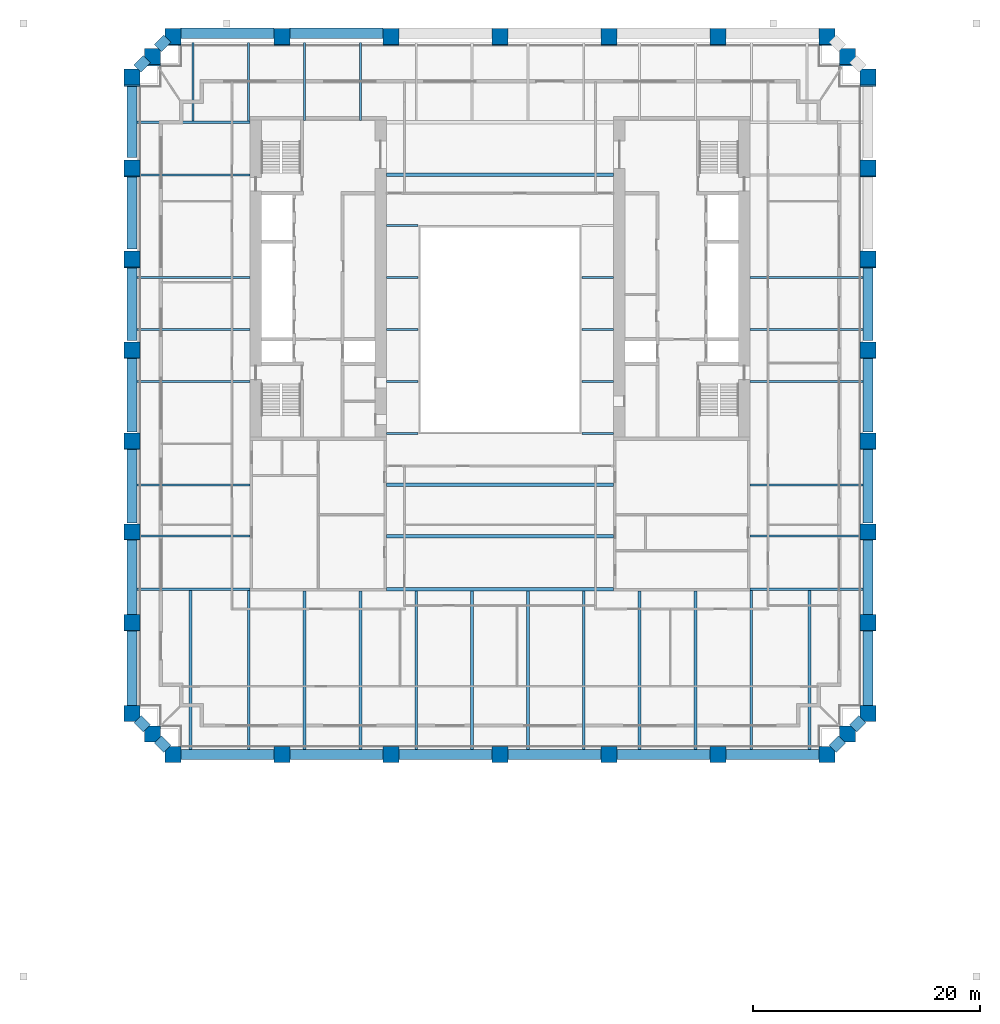
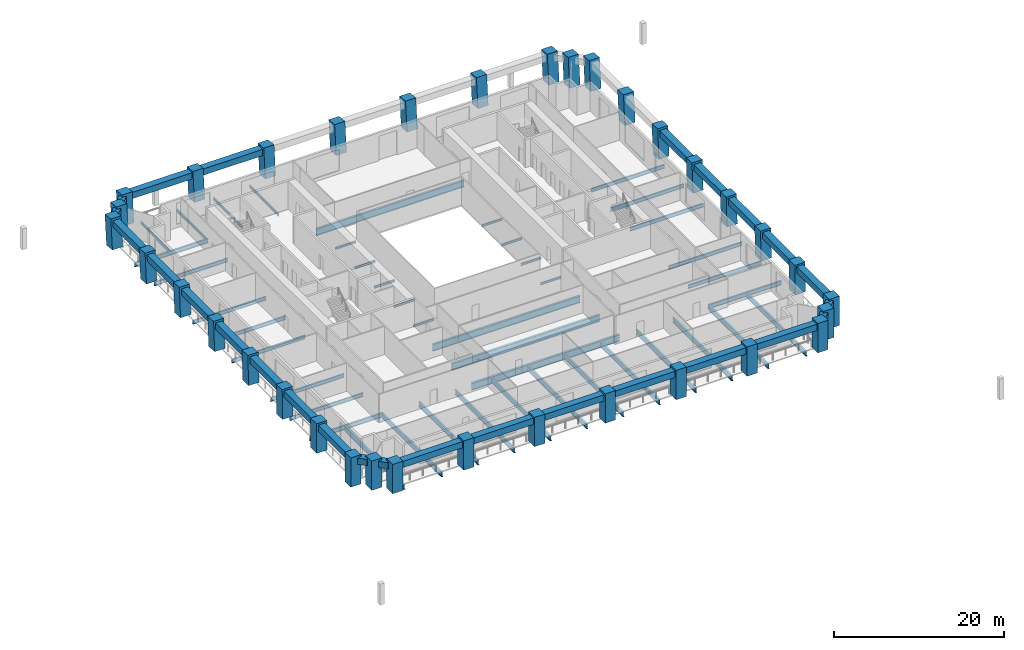
# One storey, part 1 of 10: 69 beams, 34 columns.
"""IFC4 building model written with IfcOpenShell, lengths in metres."""

from ifc_helpers import new_model, si_unit, direction, frame, origin, origin_2d, place, context, subcontext, project, spatial, rectangle, i_section, extrude, material, material_profile, profile_set, type_object, element, save


model = new_model("IFC4")

# Units and contexts
model_context = context("Model", 3, precision=1e-05, world=origin(), true_north=direction((0.0, 1.0)))
body_context = subcontext(model_context, "Body", "Model", "MODEL_VIEW")
ifc_project = project(units=[si_unit("LENGTHUNIT", "METRE"), si_unit("AREAUNIT", "SQUARE_METRE"), si_unit("VOLUMEUNIT", "CUBIC_METRE"), si_unit("PLANEANGLEUNIT", "RADIAN"), si_unit("MASSUNIT", "GRAM", prefix="KILO")], contexts=[model_context])

# Site, building, storey
site_placement = place(None, origin())
site = spatial("IfcSite", under=ifc_project, at=site_placement, CompositionType="ELEMENT")
building_placement = place(site_placement, origin())
building = spatial("IfcBuilding", under=site, at=building_placement, Name="Ogive Exchange Tower", CompositionType="ELEMENT")
storey_placement = place(building_placement, frame((0.0, 0.0, 48.0)))
storey = spatial("IfcBuildingStorey", under=building, at=storey_placement, Name="L09", CompositionType="ELEMENT", Elevation=48.0)

# Columns
ifc_material_1 = material(Name="Precast concrete C70/85 (limestone faced)", Category="masonry")
ifc_material_profile_1 = material_profile(ifc_material_1, rectangle(XDim=1.39990234375, YDim=1.39990234375, at=origin_2d()), Name="1400 x 1400")
ifc_profile_set_1 = profile_set([ifc_material_profile_1], Name="Precast concrete C70/85 (limestone faced)")
column_type = type_object("IfcColumnType", Name="Precast exoskeleton leg 1400 x 1400 C70/85", PredefinedType="COLUMN", material=ifc_profile_set_1)
for number, where, z_axis, x_axis, name in (
    (1, (-28.800048828125, -30.39990234375, 0.0), (0.0, 0.0, 1.0), (1.0, 0.0, 0.0), "Exoskeleton leg 1"),
    (2, (-19.199951171875, -30.39990234375, 0.0), (0.0, 0.0, 1.0), (1.0, 0.0, 0.0), "Exoskeleton leg 2"),
    (3, (-9.60009765625, -30.39990234375, 0.0), (0.0, 0.0, 1.0), (1.0, 0.0, 0.0), "Exoskeleton leg 3"),
    (4, (0.0, -30.39990234375, 0.0), (0.0, 0.0, 1.0), (1.0, 0.0, 0.0), "Exoskeleton leg 4"),
    (5, (9.60009765625, -30.39990234375, 0.0), (0.0, 0.0, 1.0), (1.0, 0.0, 0.0), "Exoskeleton leg 5"),
    (6, (19.199951171875, -30.39990234375, 0.0), (0.0, 0.0, 1.0), (1.0, 0.0, 0.0), "Exoskeleton leg 6"),
    (7, (28.800048828125, -30.39990234375, 0.0), (0.0, 0.0, 1.0), (1.0, 0.0, 0.0), "Exoskeleton leg 7"),
    (8, (32.39990234375, -26.800048828125, 0.0), (0.0, 0.0, 1.0), (1.0, 0.0, 0.0), "Exoskeleton leg 8"),
):
    element("IfcColumn", number, at=place(storey_placement, frame(where, z_axis=z_axis, x_axis=x_axis)), inside=storey, type_object=column_type, Name=name, PredefinedType="COLUMN", context=body_context, shape_type="SweptSolid", body=[
        extrude(rectangle(XDim=1.39990234375, YDim=1.39990234375, at=origin_2d()), origin(), (0.0, 0.0, 1.0), 4.199951171875),
    ])
column_1_placement = place(storey_placement, frame((32.39990234375, -18.81298828125, 0.0), z_axis=(0.0, 0.013019881024, 0.999915237757), x_axis=(-1.0, 0.0, 0.0)))
element("IfcColumn", 9, at=column_1_placement, inside=storey, type_object=column_type, Name="Exoskeleton leg 9", PredefinedType="COLUMN", context=body_context, shape_type="SweptSolid", body=[
    extrude(rectangle(XDim=1.39990234375, YDim=1.39990234375, at=origin_2d()), origin(), (0.0, 0.0, 1.0), 4.2001953125),
])
column_2_placement = place(storey_placement, frame((32.39990234375, -10.825927734375, 0.0), z_axis=(0.0, 0.025975072843, 0.999662590873), x_axis=(-1.0, 0.0, 0.0)))
element("IfcColumn", 10, at=column_2_placement, inside=storey, type_object=column_type, Name="Exoskeleton leg 10", PredefinedType="COLUMN", context=body_context, shape_type="SweptSolid", body=[
    extrude(rectangle(XDim=1.39990234375, YDim=1.39990234375, at=origin_2d()), origin(), (0.0, 0.0, 1.0), 4.201416015625),
])
column_3_placement = place(storey_placement, frame((32.39990234375, -2.839111328125, 0.0), z_axis=(0.0, 0.038975188043, 0.999240178694), x_axis=(-1.0, 0.0, 0.0)))
element("IfcColumn", 11, at=column_3_placement, inside=storey, type_object=column_type, Name="Exoskeleton leg 11", PredefinedType="COLUMN", context=body_context, shape_type="SweptSolid", body=[
    extrude(rectangle(XDim=1.39990234375, YDim=1.39990234375, at=origin_2d()), origin(), (0.0, 0.0, 1.0), 4.203125),
])
column_4_placement = place(storey_placement, frame((32.39990234375, 5.148193359375, 0.0), z_axis=(0.0, 0.051839753909, 0.998655416004), x_axis=(-1.0, 0.0, 0.0)))
element("IfcColumn", 12, at=column_4_placement, inside=storey, type_object=column_type, Name="Exoskeleton leg 12", PredefinedType="COLUMN", context=body_context, shape_type="SweptSolid", body=[
    extrude(rectangle(XDim=1.39990234375, YDim=1.39990234375, at=origin_2d()), origin(), (0.0, 0.0, 1.0), 4.20556640625),
])
column_5_placement = place(storey_placement, frame((32.39990234375, 13.135009765625, 0.0), z_axis=(0.0, 0.064794093908, 0.997898654872), x_axis=(-1.0, 0.0, 0.0)))
element("IfcColumn", 13, at=column_5_placement, inside=storey, type_object=column_type, Name="Exoskeleton leg 13", PredefinedType="COLUMN", context=body_context, shape_type="SweptSolid", body=[
    extrude(rectangle(XDim=1.39990234375, YDim=1.39990234375, at=origin_2d()), origin(), (0.0, 0.0, 1.0), 4.208740234375),
])
column_6_placement = place(storey_placement, frame((32.39990234375, 21.1220703125, 0.0), z_axis=(0.0, 0.07771576013, 0.996975556685), x_axis=(-1.0, 0.0, 0.0)))
element("IfcColumn", 14, at=column_6_placement, inside=storey, type_object=column_type, Name="Exoskeleton leg 14", PredefinedType="COLUMN", context=body_context, shape_type="SweptSolid", body=[
    extrude(rectangle(XDim=1.39990234375, YDim=1.39990234375, at=origin_2d()), origin(), (0.0, 0.0, 1.0), 4.212646484375),
])
for number, where, z_axis, x_axis, name in (
    (15, (32.39990234375, 29.109130859375, 0.0), (0.0, 0.090540965689, 0.995892731941), (-1.0, 0.0, 0.0), "Exoskeleton leg 15"),
    (16, (28.800048828125, 32.708984375, 0.0), (0.0, 0.090540965689, 0.995892731941), (-1.0, 0.0, 0.0), "Exoskeleton leg 16"),
    (17, (19.199951171875, 32.708984375, 0.0), (0.0, 0.090540965689, 0.995892731941), (-1.0, 0.0, 0.0), "Exoskeleton leg 17"),
    (18, (9.60009765625, 32.708984375, 0.0), (0.0, 0.090540965689, 0.995892731941), (-1.0, 0.0, 0.0), "Exoskeleton leg 18"),
    (19, (0.0, 32.708984375, 0.0), (0.0, 0.090540965689, 0.995892731941), (-1.0, 0.0, 0.0), "Exoskeleton leg 19"),
    (20, (-9.60009765625, 32.708984375, 0.0), (0.0, 0.090540965689, 0.995892731941), (-1.0, 0.0, 0.0), "Exoskeleton leg 20"),
    (21, (-19.199951171875, 32.708984375, 0.0), (0.0, 0.090540965689, 0.995892731941), (-1.0, 0.0, 0.0), "Exoskeleton leg 21"),
    (22, (-28.800048828125, 32.708984375, 0.0), (0.0, 0.090540965689, 0.995892731941), (-1.0, 0.0, 0.0), "Exoskeleton leg 22"),
    (23, (-32.39990234375, 29.109130859375, 0.0), (0.0, 0.090540965689, 0.995892731941), (-1.0, 0.0, 0.0), "Exoskeleton leg 23"),
):
    element("IfcColumn", number, at=place(storey_placement, frame(where, z_axis=z_axis, x_axis=x_axis)), inside=storey, type_object=column_type, Name=name, PredefinedType="COLUMN", context=body_context, shape_type="SweptSolid", body=[
        extrude(rectangle(XDim=1.39990234375, YDim=1.39990234375, at=origin_2d()), origin(), (0.0, 0.0, 1.0), 4.21728515625),
    ])
column_7_placement = place(storey_placement, frame((-32.39990234375, 21.1220703125, 0.0), z_axis=(0.0, 0.07771576013, 0.996975556685), x_axis=(-1.0, 0.0, 0.0)))
element("IfcColumn", 24, at=column_7_placement, inside=storey, type_object=column_type, Name="Exoskeleton leg 24", PredefinedType="COLUMN", context=body_context, shape_type="SweptSolid", body=[
    extrude(rectangle(XDim=1.39990234375, YDim=1.39990234375, at=origin_2d()), origin(), (0.0, 0.0, 1.0), 4.212646484375),
])
column_8_placement = place(storey_placement, frame((-32.39990234375, 13.135009765625, 0.0), z_axis=(0.0, 0.064794093908, 0.997898654872), x_axis=(-1.0, 0.0, 0.0)))
element("IfcColumn", 25, at=column_8_placement, inside=storey, type_object=column_type, Name="Exoskeleton leg 25", PredefinedType="COLUMN", context=body_context, shape_type="SweptSolid", body=[
    extrude(rectangle(XDim=1.39990234375, YDim=1.39990234375, at=origin_2d()), origin(), (0.0, 0.0, 1.0), 4.208740234375),
])
column_9_placement = place(storey_placement, frame((-32.39990234375, 5.148193359375, 0.0), z_axis=(0.0, 0.051839753909, 0.998655416004), x_axis=(-1.0, 0.0, 0.0)))
element("IfcColumn", 26, at=column_9_placement, inside=storey, type_object=column_type, Name="Exoskeleton leg 26", PredefinedType="COLUMN", context=body_context, shape_type="SweptSolid", body=[
    extrude(rectangle(XDim=1.39990234375, YDim=1.39990234375, at=origin_2d()), origin(), (0.0, 0.0, 1.0), 4.20556640625),
])
column_10_placement = place(storey_placement, frame((-32.39990234375, -2.839111328125, 0.0), z_axis=(0.0, 0.038975188043, 0.999240178694), x_axis=(-1.0, 0.0, 0.0)))
element("IfcColumn", 27, at=column_10_placement, inside=storey, type_object=column_type, Name="Exoskeleton leg 27", PredefinedType="COLUMN", context=body_context, shape_type="SweptSolid", body=[
    extrude(rectangle(XDim=1.39990234375, YDim=1.39990234375, at=origin_2d()), origin(), (0.0, 0.0, 1.0), 4.203125),
])
column_11_placement = place(storey_placement, frame((-32.39990234375, -10.825927734375, 0.0), z_axis=(0.0, 0.025975072843, 0.999662590873), x_axis=(-1.0, 0.0, 0.0)))
element("IfcColumn", 28, at=column_11_placement, inside=storey, type_object=column_type, Name="Exoskeleton leg 28", PredefinedType="COLUMN", context=body_context, shape_type="SweptSolid", body=[
    extrude(rectangle(XDim=1.39990234375, YDim=1.39990234375, at=origin_2d()), origin(), (0.0, 0.0, 1.0), 4.201416015625),
])
column_12_placement = place(storey_placement, frame((-32.39990234375, -18.81298828125, 0.0), z_axis=(0.0, 0.013019881024, 0.999915237757), x_axis=(-1.0, 0.0, 0.0)))
element("IfcColumn", 29, at=column_12_placement, inside=storey, type_object=column_type, Name="Exoskeleton leg 29", PredefinedType="COLUMN", context=body_context, shape_type="SweptSolid", body=[
    extrude(rectangle(XDim=1.39990234375, YDim=1.39990234375, at=origin_2d()), origin(), (0.0, 0.0, 1.0), 4.2001953125),
])
for number, where, z_axis, x_axis, name in (
    (30, (-32.39990234375, -26.800048828125, 0.0), (0.0, 0.0, 1.0), (1.0, 0.0, 0.0), "Exoskeleton leg 30"),
    (31, (30.60009765625, -28.60009765625, 0.0), (0.0, 0.0, 1.0), (1.0, 0.0, 0.0), "Exoskeleton leg 31"),
):
    element("IfcColumn", number, at=place(storey_placement, frame(where, z_axis=z_axis, x_axis=x_axis)), inside=storey, type_object=column_type, Name=name, PredefinedType="COLUMN", context=body_context, shape_type="SweptSolid", body=[
        extrude(rectangle(XDim=1.39990234375, YDim=1.39990234375, at=origin_2d()), origin(), (0.0, 0.0, 1.0), 4.199951171875),
    ])
for number, where, z_axis, x_axis, name in (
    (32, (30.60009765625, 30.9091796875, 0.0), (0.0, 0.090540965689, 0.995892731941), (-1.0, 0.0, 0.0), "Exoskeleton leg 32"),
    (33, (-30.60009765625, 30.9091796875, 0.0), (0.0, 0.090540965689, 0.995892731941), (-1.0, 0.0, 0.0), "Exoskeleton leg 33"),
):
    element("IfcColumn", number, at=place(storey_placement, frame(where, z_axis=z_axis, x_axis=x_axis)), inside=storey, type_object=column_type, Name=name, PredefinedType="COLUMN", context=body_context, shape_type="SweptSolid", body=[
        extrude(rectangle(XDim=1.39990234375, YDim=1.39990234375, at=origin_2d()), origin(), (0.0, 0.0, 1.0), 4.21728515625),
    ])
column_13_placement = place(storey_placement, frame((-30.60009765625, -28.60009765625, 0.0), z_axis=(0.0, 0.0, 1.0), x_axis=(1.0, 0.0, 0.0)))
element("IfcColumn", 34, at=column_13_placement, inside=storey, type_object=column_type, Name="Exoskeleton leg 34", PredefinedType="COLUMN", context=body_context, shape_type="SweptSolid", body=[
    extrude(rectangle(XDim=1.39990234375, YDim=1.39990234375, at=origin_2d()), origin(), (0.0, 0.0, 1.0), 4.199951171875),
])

# Beams
ifc_material_2 = material(Name="Steel ASTM A992 Gr50", Category="steel")
ifc_material_profile_2 = material_profile(ifc_material_2, i_section(OverallWidth=0.300048828125, OverallDepth=0.969970703125, WebThickness=0.01611328125, FlangeThickness=0.02099609375, at=origin_2d()), Name="W1000x222")
ifc_profile_set_2 = profile_set([ifc_material_profile_2], Name="Steel ASTM A992 Gr50")
beam_type_1 = type_object("IfcBeamType", Name="Floor beam W1000x222", PredefinedType="JOIST", material=ifc_profile_set_2)
for number, where, z_axis, x_axis, name in (
    (35, (-10.0, -11.17822265625, -0.68505859375), (1.0, 0.0, 0.0), (0.0, 1.0, 0.0), "Floor beam"),
    (36, (-10.0, -6.666748046875, -0.68505859375), (1.0, 0.0, 0.0), (0.0, 1.0, 0.0), "Floor beam"),
    (37, (-10.0, 20.62255859375, -0.68505859375), (1.0, 0.0, 0.0), (0.0, 1.0, 0.0), "Floor beam"),
):
    element("IfcBeam", number, at=place(storey_placement, frame(where, z_axis=z_axis, x_axis=x_axis)), inside=storey, type_object=beam_type_1, Name=name, PredefinedType="JOIST", context=body_context, shape_type="SweptSolid", body=[
        extrude(i_section(OverallWidth=0.300048828125, OverallDepth=0.969970703125, WebThickness=0.01611328125, FlangeThickness=0.02099609375, at=origin_2d()), origin(), (0.0, 0.0, 1.0), 20.0),
    ])
ifc_material_profile_3 = material_profile(ifc_material_2, i_section(OverallWidth=0.1650390625, OverallDepth=0.31005859375, WebThickness=0.005859375, FlangeThickness=0.009765625, at=origin_2d()), Name="W310x38.7")
ifc_profile_set_3 = profile_set([ifc_material_profile_3], Name="Steel ASTM A992 Gr50")
beam_type_2 = type_object("IfcBeamType", Name="Floor beam W310x38.7", PredefinedType="JOIST", material=ifc_profile_set_3)
for number, where, z_axis, x_axis, name in (
    (38, (-10.0, 2.422607421875, -0.35498046875), (1.0, 0.0, 0.0), (0.0, 1.0, 0.0), "Floor beam"),
    (39, (7.219970703125, 2.422607421875, -0.35498046875), (1.0, 0.0, 0.0), (0.0, 1.0, 0.0), "Floor beam"),
    (40, (-10.0, 7.0, -0.35498046875), (1.0, 0.0, 0.0), (0.0, 1.0, 0.0), "Floor beam"),
    (41, (7.219970703125, 7.0, -0.35498046875), (1.0, 0.0, 0.0), (0.0, 1.0, 0.0), "Floor beam"),
    (42, (-10.0, 11.577392578125, -0.35498046875), (1.0, 0.0, 0.0), (0.0, 1.0, 0.0), "Floor beam"),
    (43, (7.219970703125, 11.577392578125, -0.35498046875), (1.0, 0.0, 0.0), (0.0, 1.0, 0.0), "Floor beam"),
):
    element("IfcBeam", number, at=place(storey_placement, frame(where, z_axis=z_axis, x_axis=x_axis)), inside=storey, type_object=beam_type_2, Name=name, PredefinedType="JOIST", context=body_context, shape_type="SweptSolid", body=[
        extrude(i_section(OverallWidth=0.1650390625, OverallDepth=0.31005859375, WebThickness=0.005859375, FlangeThickness=0.009765625, at=origin_2d()), origin(), (0.0, 0.0, 1.0), 2.780029296875),
    ])
ifc_material_profile_4 = material_profile(ifc_material_2, i_section(OverallWidth=0.1708984375, OverallDepth=0.35595703125, WebThickness=0.00732421875, FlangeThickness=0.01171875, at=origin_2d()), Name="W360x51")
ifc_profile_set_4 = profile_set([ifc_material_profile_4], Name="Steel ASTM A992 Gr50")
beam_type_3 = type_object("IfcBeamType", Name="Floor beam W360x51", PredefinedType="JOIST", material=ifc_profile_set_4)
for number, where, z_axis, x_axis, name in (
    (44, (-27.03466796875, 25.35888671875, -0.3779296875), (0.0, 1.0, 0.0), (-1.0, 0.0, 0.0), "Floor beam"),
    (45, (-22.119140625, 25.35888671875, -0.3779296875), (0.0, 1.0, 0.0), (-1.0, 0.0, 0.0), "Floor beam"),
):
    element("IfcBeam", number, at=place(storey_placement, frame(where, z_axis=z_axis, x_axis=x_axis)), inside=storey, type_object=beam_type_3, Name=name, PredefinedType="JOIST", context=body_context, shape_type="SweptSolid", body=[
        extrude(i_section(OverallWidth=0.1708984375, OverallDepth=0.35595703125, WebThickness=0.00732421875, FlangeThickness=0.01171875, at=origin_2d()), origin(), (0.0, 0.0, 1.0), 6.900146484375),
    ])
for number, where, z_axis, x_axis, name in (
    (46, (-17.203857421875, 25.39990234375, -0.3779296875), (0.0, 1.0, 0.0), (-1.0, 0.0, 0.0), "Floor beam"),
    (47, (-12.28857421875, 25.39990234375, -0.3779296875), (0.0, 1.0, 0.0), (-1.0, 0.0, 0.0), "Floor beam"),
):
    element("IfcBeam", number, at=place(storey_placement, frame(where, z_axis=z_axis, x_axis=x_axis)), inside=storey, type_object=beam_type_3, Name=name, PredefinedType="JOIST", context=body_context, shape_type="SweptSolid", body=[
        extrude(i_section(OverallWidth=0.1708984375, OverallDepth=0.35595703125, WebThickness=0.00732421875, FlangeThickness=0.01171875, at=origin_2d()), origin(), (0.0, 0.0, 1.0), 6.859130859375),
    ])
ifc_material_profile_5 = material_profile(ifc_material_2, i_section(OverallWidth=0.1669921875, OverallDepth=0.535888671875, WebThickness=0.01025390625, FlangeThickness=0.0166015625, at=origin_2d()), Name="W530x85")
ifc_profile_set_5 = profile_set([ifc_material_profile_5], Name="Steel ASTM A992 Gr50")
beam_type_4 = type_object("IfcBeamType", Name="Floor beam W530x85", PredefinedType="JOIST", material=ifc_profile_set_5)
for number, where, z_axis, x_axis, name in (
    (48, (-31.949951171875, -11.17822265625, -0.468017578125), (1.0, 0.0, 0.0), (0.0, 1.0, 0.0), "Floor beam"),
    (49, (22.0, -11.17822265625, -0.468017578125), (1.0, 0.0, 0.0), (0.0, 1.0, 0.0), "Floor beam"),
    (50, (-31.949951171875, -6.666748046875, -0.468017578125), (1.0, 0.0, 0.0), (0.0, 1.0, 0.0), "Floor beam"),
    (51, (22.0, -6.666748046875, -0.468017578125), (1.0, 0.0, 0.0), (0.0, 1.0, 0.0), "Floor beam"),
    (52, (-31.949951171875, 2.422607421875, -0.468017578125), (1.0, 0.0, 0.0), (0.0, 1.0, 0.0), "Floor beam"),
    (53, (22.0, 2.422607421875, -0.468017578125), (1.0, 0.0, 0.0), (0.0, 1.0, 0.0), "Floor beam"),
    (54, (-31.949951171875, 7.0, -0.468017578125), (1.0, 0.0, 0.0), (0.0, 1.0, 0.0), "Floor beam"),
    (55, (22.0, 7.0, -0.468017578125), (1.0, 0.0, 0.0), (0.0, 1.0, 0.0), "Floor beam"),
    (56, (-31.949951171875, 11.577392578125, -0.468017578125), (1.0, 0.0, 0.0), (0.0, 1.0, 0.0), "Floor beam"),
    (57, (22.0, 11.577392578125, -0.468017578125), (1.0, 0.0, 0.0), (0.0, 1.0, 0.0), "Floor beam"),
    (58, (-31.949951171875, 20.62255859375, -0.468017578125), (1.0, 0.0, 0.0), (0.0, 1.0, 0.0), "Floor beam"),
):
    element("IfcBeam", number, at=place(storey_placement, frame(where, z_axis=z_axis, x_axis=x_axis)), inside=storey, type_object=beam_type_4, Name=name, PredefinedType="JOIST", context=body_context, shape_type="SweptSolid", body=[
        extrude(i_section(OverallWidth=0.1669921875, OverallDepth=0.535888671875, WebThickness=0.01025390625, FlangeThickness=0.0166015625, at=origin_2d()), origin(), (0.0, 0.0, 1.0), 9.949951171875),
    ])
ifc_material_profile_6 = material_profile(ifc_material_2, i_section(OverallWidth=0.25390625, OverallDepth=0.677978515625, WebThickness=0.01171875, FlangeThickness=0.016357421875, at=origin_2d()), Name="W690x125")
ifc_profile_set_6 = profile_set([ifc_material_profile_6], Name="Steel ASTM A992 Gr50")
beam_type_5 = type_object("IfcBeamType", Name="Floor beam W690x125", PredefinedType="JOIST", material=ifc_profile_set_6)
for number, where, z_axis, x_axis, name in (
    (59, (-27.234619140625, -29.949951171875, -0.5390625), (0.0, 1.0, 0.0), (-1.0, 0.0, 0.0), "Floor beam"),
    (60, (-22.119140625, -29.949951171875, -0.5390625), (0.0, 1.0, 0.0), (-1.0, 0.0, 0.0), "Floor beam"),
):
    element("IfcBeam", number, at=place(storey_placement, frame(where, z_axis=z_axis, x_axis=x_axis)), inside=storey, type_object=beam_type_5, Name=name, PredefinedType="JOIST", context=body_context, shape_type="SweptSolid", body=[
        extrude(i_section(OverallWidth=0.25390625, OverallDepth=0.677978515625, WebThickness=0.01171875, FlangeThickness=0.016357421875, at=origin_2d()), origin(), (0.0, 0.0, 1.0), 13.990966796875),
    ])
for number, where, z_axis, x_axis, name in (
    (61, (-17.203857421875, -29.949951171875, -0.5390625), (0.0, 1.0, 0.0), (-1.0, 0.0, 0.0), "Floor beam"),
    (62, (-12.28857421875, -29.949951171875, -0.5390625), (0.0, 1.0, 0.0), (-1.0, 0.0, 0.0), "Floor beam"),
):
    element("IfcBeam", number, at=place(storey_placement, frame(where, z_axis=z_axis, x_axis=x_axis)), inside=storey, type_object=beam_type_5, Name=name, PredefinedType="JOIST", context=body_context, shape_type="SweptSolid", body=[
        extrude(i_section(OverallWidth=0.25390625, OverallDepth=0.677978515625, WebThickness=0.01171875, FlangeThickness=0.016357421875, at=origin_2d()), origin(), (0.0, 0.0, 1.0), 13.949951171875),
    ])
for number, where, z_axis, x_axis, name in (
    (63, (-7.373046875, -29.949951171875, -0.5390625), (0.0, 1.0, 0.0), (-1.0, 0.0, 0.0), "Floor beam"),
    (64, (-2.457763671875, -29.949951171875, -0.5390625), (0.0, 1.0, 0.0), (-1.0, 0.0, 0.0), "Floor beam"),
    (65, (2.457763671875, -29.949951171875, -0.5390625), (0.0, 1.0, 0.0), (-1.0, 0.0, 0.0), "Floor beam"),
    (66, (7.373046875, -29.949951171875, -0.5390625), (0.0, 1.0, 0.0), (-1.0, 0.0, 0.0), "Floor beam"),
):
    element("IfcBeam", number, at=place(storey_placement, frame(where, z_axis=z_axis, x_axis=x_axis)), inside=storey, type_object=beam_type_5, Name=name, PredefinedType="JOIST", context=body_context, shape_type="SweptSolid", body=[
        extrude(i_section(OverallWidth=0.25390625, OverallDepth=0.677978515625, WebThickness=0.01171875, FlangeThickness=0.016357421875, at=origin_2d()), origin(), (0.0, 0.0, 1.0), 13.954833984375),
    ])
for number, where, z_axis, x_axis, name in (
    (67, (12.28857421875, -29.949951171875, -0.5390625), (0.0, 1.0, 0.0), (-1.0, 0.0, 0.0), "Floor beam"),
    (68, (17.203857421875, -29.949951171875, -0.5390625), (0.0, 1.0, 0.0), (-1.0, 0.0, 0.0), "Floor beam"),
):
    element("IfcBeam", number, at=place(storey_placement, frame(where, z_axis=z_axis, x_axis=x_axis)), inside=storey, type_object=beam_type_5, Name=name, PredefinedType="JOIST", context=body_context, shape_type="SweptSolid", body=[
        extrude(i_section(OverallWidth=0.25390625, OverallDepth=0.677978515625, WebThickness=0.01171875, FlangeThickness=0.016357421875, at=origin_2d()), origin(), (0.0, 0.0, 1.0), 13.949951171875),
    ])
for number, where, z_axis, x_axis, name in (
    (69, (22.119140625, -29.949951171875, -0.5390625), (0.0, 1.0, 0.0), (-1.0, 0.0, 0.0), "Floor beam"),
    (70, (27.234619140625, -29.949951171875, -0.5390625), (0.0, 1.0, 0.0), (-1.0, 0.0, 0.0), "Floor beam"),
):
    element("IfcBeam", number, at=place(storey_placement, frame(where, z_axis=z_axis, x_axis=x_axis)), inside=storey, type_object=beam_type_5, Name=name, PredefinedType="JOIST", context=body_context, shape_type="SweptSolid", body=[
        extrude(i_section(OverallWidth=0.25390625, OverallDepth=0.677978515625, WebThickness=0.01171875, FlangeThickness=0.016357421875, at=origin_2d()), origin(), (0.0, 0.0, 1.0), 13.990966796875),
    ])
ifc_material_profile_7 = material_profile(ifc_material_2, i_section(OverallWidth=0.300048828125, OverallDepth=0.97998046875, WebThickness=0.0166015625, FlangeThickness=0.026123046875, at=origin_2d()), Name="W1000x249")
ifc_profile_set_7 = profile_set([ifc_material_profile_7], Name="Steel ASTM A992 Gr50")
beam_type_6 = type_object("IfcBeamType", Name="Girder W1000x249", PredefinedType="BEAM", material=ifc_profile_set_7)
beam_1_placement = place(storey_placement, frame((-10.0, -15.844970703125, -0.68994140625), z_axis=(1.0, 0.0, 0.0), x_axis=(0.0, 1.0, 0.0)))
element("IfcBeam", 71, at=beam_1_placement, inside=storey, type_object=beam_type_6, Name="Header girder", PredefinedType="BEAM", context=body_context, shape_type="SweptSolid", body=[
    extrude(i_section(OverallWidth=0.300048828125, OverallDepth=0.97998046875, WebThickness=0.0166015625, FlangeThickness=0.026123046875, at=origin_2d()), origin(), (0.0, 0.0, 1.0), 20.0),
])
ifc_material_profile_8 = material_profile(ifc_material_2, i_section(OverallWidth=0.1650390625, OverallDepth=0.31005859375, WebThickness=0.005859375, FlangeThickness=0.009765625, at=origin_2d()), Name="W310x38.7")
ifc_profile_set_8 = profile_set([ifc_material_profile_8], Name="Steel ASTM A992 Gr50")
beam_type_7 = type_object("IfcBeamType", Name="Girder W310x38.7", PredefinedType="BEAM", material=ifc_profile_set_8)
for number, where, z_axis, x_axis, name in (
    (72, (-10.0, -2.155029296875, -0.35498046875), (1.0, 0.0, 0.0), (0.0, 1.0, 0.0), "Trimmer girder"),
    (73, (7.219970703125, -2.155029296875, -0.35498046875), (1.0, 0.0, 0.0), (0.0, 1.0, 0.0), "Trimmer girder"),
    (74, (-10.0, 16.155029296875, -0.35498046875), (1.0, 0.0, 0.0), (0.0, 1.0, 0.0), "Trimmer girder"),
):
    element("IfcBeam", number, at=place(storey_placement, frame(where, z_axis=z_axis, x_axis=x_axis)), inside=storey, type_object=beam_type_7, Name=name, PredefinedType="BEAM", context=body_context, shape_type="SweptSolid", body=[
        extrude(i_section(OverallWidth=0.1650390625, OverallDepth=0.31005859375, WebThickness=0.005859375, FlangeThickness=0.009765625, at=origin_2d()), origin(), (0.0, 0.0, 1.0), 2.780029296875),
    ])
ifc_material_profile_9 = material_profile(ifc_material_2, i_section(OverallWidth=0.22802734375, OverallDepth=0.60205078125, WebThickness=0.010498046875, FlangeThickness=0.014892578125, at=origin_2d()), Name="W610x101")
ifc_profile_set_9 = profile_set([ifc_material_profile_9], Name="Steel ASTM A992 Gr50")
beam_type_8 = type_object("IfcBeamType", Name="Girder W610x101", PredefinedType="BEAM", material=ifc_profile_set_9)
for number, where, z_axis, x_axis, name in (
    (75, (-31.949951171875, -15.844970703125, -0.5009765625), (1.0, 0.0, 0.0), (0.0, 1.0, 0.0), "Header girder"),
    (76, (22.0, -15.844970703125, -0.5009765625), (1.0, 0.0, 0.0), (0.0, 1.0, 0.0), "Header girder"),
    (77, (-31.949951171875, 25.2451171875, -0.5009765625), (1.0, 0.0, 0.0), (0.0, 1.0, 0.0), "Header girder"),
):
    element("IfcBeam", number, at=place(storey_placement, frame(where, z_axis=z_axis, x_axis=x_axis)), inside=storey, type_object=beam_type_8, Name=name, PredefinedType="BEAM", context=body_context, shape_type="SweptSolid", body=[
        extrude(i_section(OverallWidth=0.22802734375, OverallDepth=0.60205078125, WebThickness=0.010498046875, FlangeThickness=0.014892578125, at=origin_2d()), origin(), (0.0, 0.0, 1.0), 9.949951171875),
    ])
ifc_material_profile_10 = material_profile(ifc_material_1, rectangle(XDim=0.89990234375, YDim=0.89990234375, at=origin_2d()), Name="900 x 900")
ifc_profile_set_10 = profile_set([ifc_material_profile_10], Name="Precast concrete C70/85 (limestone faced)")
beam_type_9 = type_object("IfcBeamType", Name="Precast spandrel 900 x 900 C70/85", PredefinedType="SPANDREL", material=ifc_profile_set_10)
beam_2_placement = place(storey_placement, frame((-28.1201171875, -30.39990234375, 3.5), z_axis=(1.0, 0.0, 0.0), x_axis=(0.0, 1.0, 0.0)))
element("IfcBeam", 78, at=beam_2_placement, inside=storey, type_object=beam_type_9, Name="Spandrel 1", PredefinedType="SPANDREL", context=body_context, shape_type="SweptSolid", body=[
    extrude(rectangle(XDim=0.89990234375, YDim=0.89990234375, at=origin_2d()), origin(), (0.0, 0.0, 1.0), 8.240234375),
])
for number, where, z_axis, x_axis, name in (
    (79, (-18.52001953125, -30.39990234375, 3.5), (1.0, 0.0, 0.0), (0.0, 1.0, 0.0), "Spandrel 2"),
    (80, (-8.919921875, -30.39990234375, 3.5), (1.0, 0.0, 0.0), (0.0, 1.0, 0.0), "Spandrel 3"),
    (81, (0.679931640625, -30.39990234375, 3.5), (1.0, 0.0, 0.0), (0.0, 1.0, 0.0), "Spandrel 4"),
    (82, (10.280029296875, -30.39990234375, 3.5), (1.0, 0.0, 0.0), (0.0, 1.0, 0.0), "Spandrel 5"),
):
    element("IfcBeam", number, at=place(storey_placement, frame(where, z_axis=z_axis, x_axis=x_axis)), inside=storey, type_object=beam_type_9, Name=name, PredefinedType="SPANDREL", context=body_context, shape_type="SweptSolid", body=[
        extrude(rectangle(XDim=0.89990234375, YDim=0.89990234375, at=origin_2d()), origin(), (0.0, 0.0, 1.0), 8.239990234375),
    ])
beam_3_placement = place(storey_placement, frame((19.8798828125, -30.39990234375, 3.5), z_axis=(1.0, 0.0, 0.0), x_axis=(0.0, 1.0, 0.0)))
element("IfcBeam", 83, at=beam_3_placement, inside=storey, type_object=beam_type_9, Name="Spandrel 6", PredefinedType="SPANDREL", context=body_context, shape_type="SweptSolid", body=[
    extrude(rectangle(XDim=0.89990234375, YDim=0.89990234375, at=origin_2d()), origin(), (0.0, 0.0, 1.0), 8.240234375),
])
for number, where, z_axis, x_axis, name in (
    (84, (29.287841796875, -29.912109375, 3.5), (0.707106781187, 0.707106781187, 0.0), (-0.707106781187, 0.707106781187, 0.0), "Spandrel 7"),
    (85, (31.087890625, -28.112060546875, 3.5), (0.707106781187, 0.707106781187, 0.0), (-0.707106781187, 0.707106781187, 0.0), "Spandrel 8"),
):
    element("IfcBeam", number, at=place(storey_placement, frame(where, z_axis=z_axis, x_axis=x_axis)), inside=storey, type_object=beam_type_9, Name=name, PredefinedType="SPANDREL", context=body_context, shape_type="SweptSolid", body=[
        extrude(rectangle(XDim=0.89990234375, YDim=0.89990234375, at=origin_2d()), origin(), (0.0, 0.0, 1.0), 1.16552734375),
    ])
beam_4_placement = place(storey_placement, frame((32.39990234375, -26.1201171875, 3.5), z_axis=(0.0, 1.0, 0.0), x_axis=(-1.0, 0.0, 0.0)))
element("IfcBeam", 86, at=beam_4_placement, inside=storey, type_object=beam_type_9, Name="Spandrel 9", PredefinedType="SPANDREL", context=body_context, shape_type="SweptSolid", body=[
    extrude(rectangle(XDim=0.89990234375, YDim=0.89990234375, at=origin_2d()), origin(), (0.0, 0.0, 1.0), 6.681640625),
])
beam_5_placement = place(storey_placement, frame((32.39990234375, -18.078369140625, 3.5), z_axis=(0.0, 1.0, 0.0), x_axis=(-1.0, 0.0, 0.0)))
element("IfcBeam", 87, at=beam_5_placement, inside=storey, type_object=beam_type_9, Name="Spandrel 10", PredefinedType="SPANDREL", context=body_context, shape_type="SweptSolid", body=[
    extrude(rectangle(XDim=0.89990234375, YDim=0.89990234375, at=origin_2d()), origin(), (0.0, 0.0, 1.0), 6.681396484375),
])
for number, where, z_axis, x_axis, name in (
    (88, (32.39990234375, -10.036865234375, 3.5), (0.0, 1.0, 0.0), (-1.0, 0.0, 0.0), "Spandrel 11"),
    (89, (32.39990234375, -1.995361328125, 3.5), (0.0, 1.0, 0.0), (-1.0, 0.0, 0.0), "Spandrel 12"),
    (90, (32.39990234375, 6.046142578125, 3.5), (0.0, 1.0, 0.0), (-1.0, 0.0, 0.0), "Spandrel 13"),
):
    element("IfcBeam", number, at=place(storey_placement, frame(where, z_axis=z_axis, x_axis=x_axis)), inside=storey, type_object=beam_type_9, Name=name, PredefinedType="SPANDREL", context=body_context, shape_type="SweptSolid", body=[
        extrude(rectangle(XDim=0.89990234375, YDim=0.89990234375, at=origin_2d()), origin(), (0.0, 0.0, 1.0), 6.681640625),
    ])
beam_6_placement = place(storey_placement, frame((-10.280029296875, 33.0908203125, 3.5), z_axis=(-1.0, 0.0, 0.0), x_axis=(0.0, -1.0, 0.0)))
element("IfcBeam", 91, at=beam_6_placement, inside=storey, type_object=beam_type_9, Name="Spandrel 22", PredefinedType="SPANDREL", context=body_context, shape_type="SweptSolid", body=[
    extrude(rectangle(XDim=0.89990234375, YDim=0.89990234375, at=origin_2d()), origin(), (0.0, 0.0, 1.0), 8.239990234375),
])
beam_7_placement = place(storey_placement, frame((-19.8798828125, 33.0908203125, 3.5), z_axis=(-1.0, 0.0, 0.0), x_axis=(0.0, -1.0, 0.0)))
element("IfcBeam", 92, at=beam_7_placement, inside=storey, type_object=beam_type_9, Name="Spandrel 23", PredefinedType="SPANDREL", context=body_context, shape_type="SweptSolid", body=[
    extrude(rectangle(XDim=0.89990234375, YDim=0.89990234375, at=origin_2d()), origin(), (0.0, 0.0, 1.0), 8.240234375),
])
for number, where, z_axis, x_axis, name in (
    (93, (-29.287841796875, 32.60302734375, 3.5), (-0.707106781187, -0.707106781187, 0.0), (0.707106781187, -0.707106781187, 0.0), "Spandrel 24"),
    (94, (-31.087890625, 30.802978515625, 3.5), (-0.707106781187, -0.707106781187, 0.0), (0.707106781187, -0.707106781187, 0.0), "Spandrel 25"),
):
    element("IfcBeam", number, at=place(storey_placement, frame(where, z_axis=z_axis, x_axis=x_axis)), inside=storey, type_object=beam_type_9, Name=name, PredefinedType="SPANDREL", context=body_context, shape_type="SweptSolid", body=[
        extrude(rectangle(XDim=0.89990234375, YDim=0.89990234375, at=origin_2d()), origin(), (0.0, 0.0, 1.0), 1.16552734375),
    ])
for number, where, z_axis, x_axis, name in (
    (95, (-32.39990234375, 28.810791015625, 3.5), (0.0, -1.0, 0.0), (1.0, 0.0, 0.0), "Spandrel 26"),
    (96, (-32.39990234375, 20.769287109375, 3.5), (0.0, -1.0, 0.0), (1.0, 0.0, 0.0), "Spandrel 27"),
):
    element("IfcBeam", number, at=place(storey_placement, frame(where, z_axis=z_axis, x_axis=x_axis)), inside=storey, type_object=beam_type_9, Name=name, PredefinedType="SPANDREL", context=body_context, shape_type="SweptSolid", body=[
        extrude(rectangle(XDim=0.89990234375, YDim=0.89990234375, at=origin_2d()), origin(), (0.0, 0.0, 1.0), 6.681396484375),
    ])
for number, where, z_axis, x_axis, name in (
    (97, (-32.39990234375, 12.727783203125, 3.5), (0.0, -1.0, 0.0), (1.0, 0.0, 0.0), "Spandrel 28"),
    (98, (-32.39990234375, 4.686279296875, 3.5), (0.0, -1.0, 0.0), (1.0, 0.0, 0.0), "Spandrel 29"),
    (99, (-32.39990234375, -3.355224609375, 3.5), (0.0, -1.0, 0.0), (1.0, 0.0, 0.0), "Spandrel 30"),
):
    element("IfcBeam", number, at=place(storey_placement, frame(where, z_axis=z_axis, x_axis=x_axis)), inside=storey, type_object=beam_type_9, Name=name, PredefinedType="SPANDREL", context=body_context, shape_type="SweptSolid", body=[
        extrude(rectangle(XDim=0.89990234375, YDim=0.89990234375, at=origin_2d()), origin(), (0.0, 0.0, 1.0), 6.681640625),
    ])
beam_8_placement = place(storey_placement, frame((-32.39990234375, -11.39697265625, 3.5), z_axis=(0.0, -1.0, 0.0), x_axis=(1.0, 0.0, 0.0)))
element("IfcBeam", 100, at=beam_8_placement, inside=storey, type_object=beam_type_9, Name="Spandrel 31", PredefinedType="SPANDREL", context=body_context, shape_type="SweptSolid", body=[
    extrude(rectangle(XDim=0.89990234375, YDim=0.89990234375, at=origin_2d()), origin(), (0.0, 0.0, 1.0), 6.681396484375),
])
beam_9_placement = place(storey_placement, frame((-32.39990234375, -19.4384765625, 3.5), z_axis=(0.0, -1.0, 0.0), x_axis=(1.0, 0.0, 0.0)))
element("IfcBeam", 101, at=beam_9_placement, inside=storey, type_object=beam_type_9, Name="Spandrel 32", PredefinedType="SPANDREL", context=body_context, shape_type="SweptSolid", body=[
    extrude(rectangle(XDim=0.89990234375, YDim=0.89990234375, at=origin_2d()), origin(), (0.0, 0.0, 1.0), 6.681640625),
])
for number, where, z_axis, x_axis, name in (
    (102, (-31.912109375, -27.287841796875, 3.5), (0.707106781187, -0.707106781187, 0.0), (0.707106781187, 0.707106781187, 0.0), "Spandrel 33"),
    (103, (-30.112060546875, -29.087890625, 3.5), (0.707106781187, -0.707106781187, 0.0), (0.707106781187, 0.707106781187, 0.0), "Spandrel 34"),
):
    element("IfcBeam", number, at=place(storey_placement, frame(where, z_axis=z_axis, x_axis=x_axis)), inside=storey, type_object=beam_type_9, Name=name, PredefinedType="SPANDREL", context=body_context, shape_type="SweptSolid", body=[
        extrude(rectangle(XDim=0.89990234375, YDim=0.89990234375, at=origin_2d()), origin(), (0.0, 0.0, 1.0), 1.16552734375),
    ])

save(model, "model.ifc")
